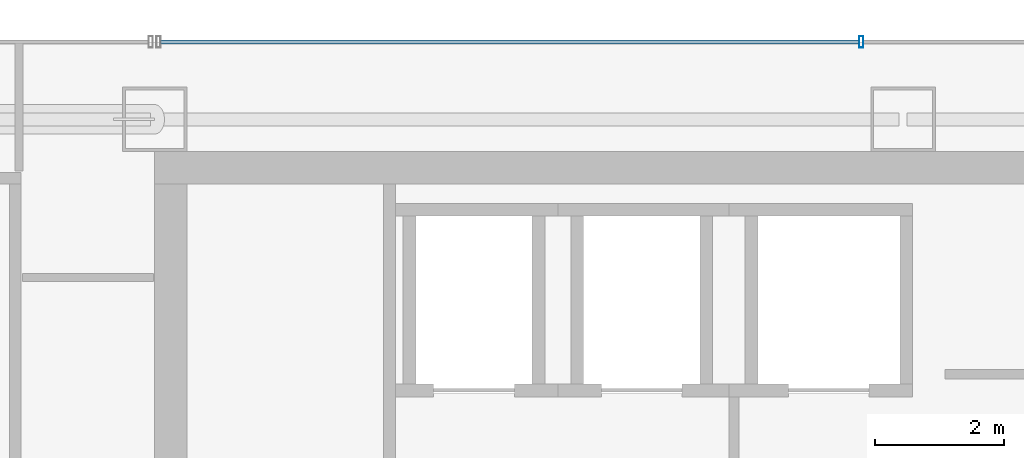
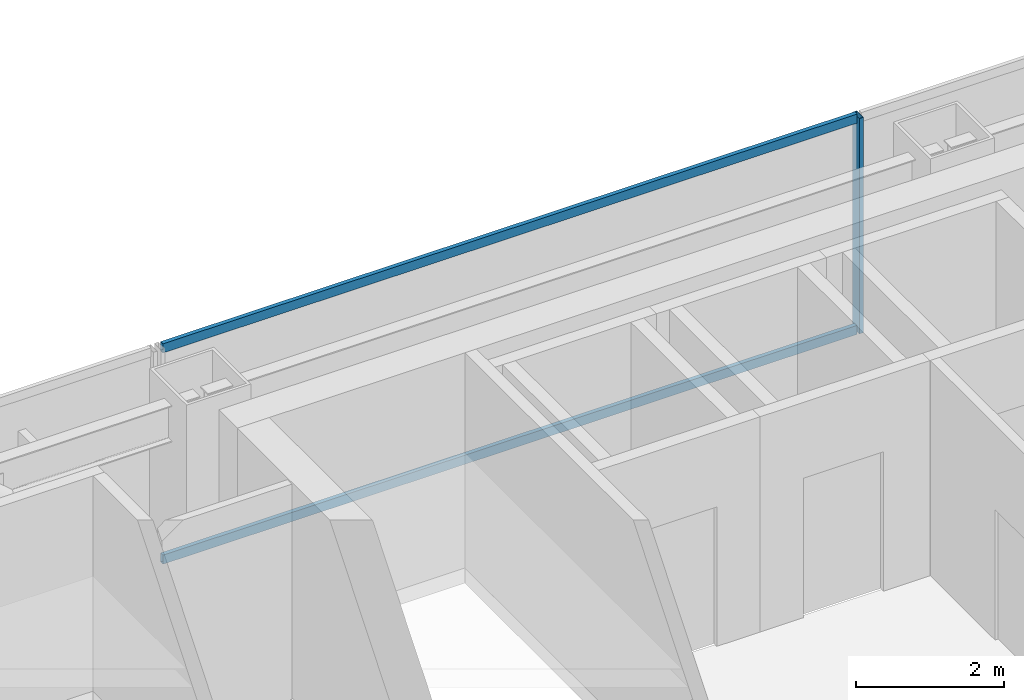
# One storey, part 23 of 37: 3 members, 1 element without a shape of its own.
"""IFC4 building model written with IfcOpenShell, lengths in metres."""

from ifc_helpers import new_model, si_unit, direction, frame, origin, origin_2d, place, context, subcontext, project, spatial, hollow_rectangle, extrude, material, material_profile, profile_set, type_object, element, aggregate, save


model = new_model("IFC4")

# Units and contexts
model_context = context("Model", 3, precision=1e-05, world=origin(), true_north=direction((0.0, 1.0)))
body_context = subcontext(model_context, "Body", "Model", "MODEL_VIEW")
ifc_project = project(units=[si_unit("LENGTHUNIT", "METRE"), si_unit("AREAUNIT", "SQUARE_METRE"), si_unit("VOLUMEUNIT", "CUBIC_METRE"), si_unit("PLANEANGLEUNIT", "RADIAN"), si_unit("MASSUNIT", "GRAM", prefix="KILO")], contexts=[model_context])

# Site, building, storey
site_placement = place(None, origin())
site = spatial("IfcSite", under=ifc_project, at=site_placement, CompositionType="ELEMENT")
building_placement = place(site_placement, origin())
building = spatial("IfcBuilding", under=site, at=building_placement, Name="Saevonmaru Cultural Tower", CompositionType="ELEMENT")
storey_placement = place(building_placement, frame((0.0, 0.0, 144.800048828125)))
storey = spatial("IfcBuildingStorey", under=building, at=storey_placement, Name="L31", CompositionType="ELEMENT", Elevation=144.800048828125)

# Curtain wall, members
ifc_material = material(Name="Satin Bronze Anodised Aluminium", Category="aluminium")
curtain_wall_type = type_object("IfcCurtainWallType", Name="CW-TYP-A", PredefinedType="NOTDEFINED", material=ifc_material)
curtain_wall_placement = place(storey_placement, origin())
curtain_wall = element("IfcCurtainWall", 1, at=curtain_wall_placement, inside=storey, type_object=curtain_wall_type, Name="L31 North Spine Unitised Curtain Wall E10B", PredefinedType="NOTDEFINED")
ifc_material_profile_1 = material_profile(ifc_material, hollow_rectangle(XDim=0.06494140625, YDim=0.179931640625, WallThickness=0.00390625, at=origin_2d()), Name="ALU-MULL-180x65x4")
ifc_profile_set_1 = profile_set([ifc_material_profile_1], Name="Satin Bronze Anodised Aluminium")
member_type_1 = type_object("IfcMemberType", Name="ML-CW-180x65", PredefinedType="MULLION", material=ifc_profile_set_1)
member_1_placement = place(storey_placement, frame((24.55322265625, 56.0, 0.0), z_axis=(0.0, 0.0, 1.0), x_axis=(-1.0, 0.0, 0.0)))
member_1 = element("IfcMember", 2, at=member_1_placement, type_object=member_type_1, Name="CW-TW-L31-E10B mullion 3", PredefinedType="MULLION", context=body_context, shape_type="SweptSolid", body=[
    extrude(hollow_rectangle(XDim=0.06494140625, YDim=0.179931640625, WallThickness=0.00390625, at=origin_2d()), origin(), (0.0, 0.0, 1.0), 3.550048828125),
])
ifc_material_profile_2 = material_profile(ifc_material, hollow_rectangle(XDim=0.06494140625, YDim=0.14990234375, WallThickness=0.00390625, at=origin_2d()), Name="ALU-TRAN-150x65x4")
ifc_profile_set_2 = profile_set([ifc_material_profile_2], Name="Satin Bronze Anodised Aluminium")
member_type_2 = type_object("IfcMemberType", Name="TR-CW-150x65", PredefinedType="USERDEFINED", material=ifc_profile_set_2)
member_2_placement = place(storey_placement, frame((24.520751953125, 56.0, 0.032470703125), z_axis=(-1.0, 0.0, 0.0), x_axis=(0.0, -1.0, 0.0)))
member_2 = element("IfcMember", 3, at=member_2_placement, type_object=member_type_2, Name="CW-TW-L31-E10B transom 3.1", ObjectType="TRANSOM", PredefinedType="USERDEFINED", context=body_context, shape_type="SweptSolid", body=[
    extrude(hollow_rectangle(XDim=0.06494140625, YDim=0.14990234375, WallThickness=0.00390625, at=origin_2d()), origin(), (0.0, 0.0, 1.0), 10.828369140625),
])
member_3_placement = place(storey_placement, frame((24.520751953125, 56.0, 3.517333984375), z_axis=(-1.0, 0.0, 0.0), x_axis=(0.0, -1.0, 0.0)))
member_3 = element("IfcMember", 4, at=member_3_placement, type_object=member_type_2, Name="CW-TW-L31-E10B transom 3.2", ObjectType="TRANSOM", PredefinedType="USERDEFINED", context=body_context, shape_type="SweptSolid", body=[
    extrude(hollow_rectangle(XDim=0.06494140625, YDim=0.14990234375, WallThickness=0.00390625, at=origin_2d()), origin(), (0.0, 0.0, 1.0), 10.828369140625),
])
aggregate(curtain_wall, [member_1, member_2, member_3])

save(model, "model.ifc")
